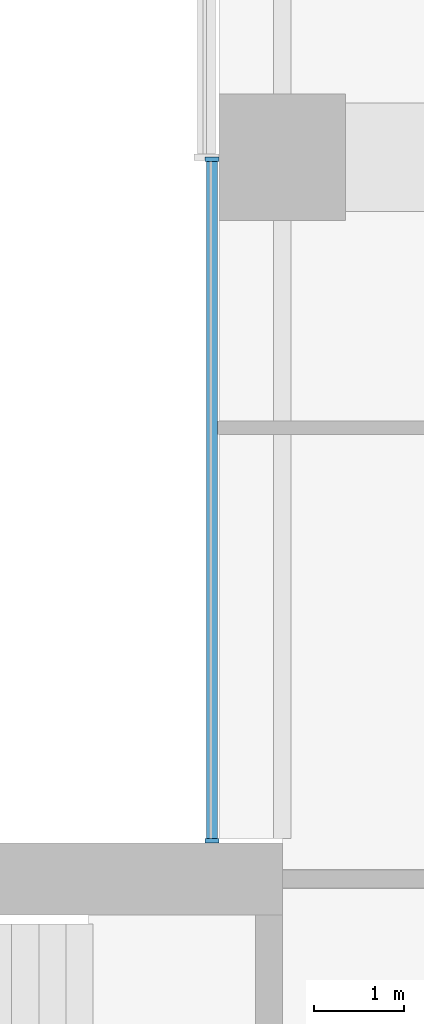
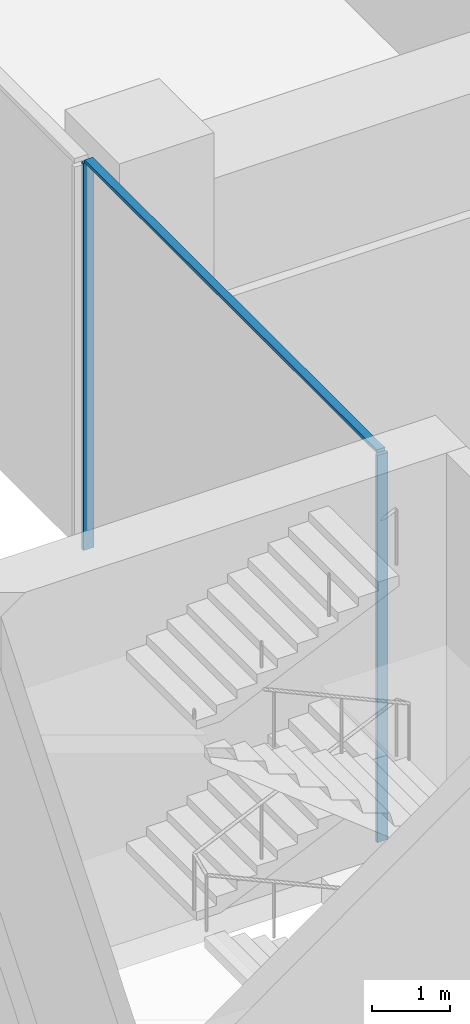
# One storey, part 7 of 23: 3 members, 1 element without a shape of its own.
"""IFC4 building model written with IfcOpenShell, lengths in metres."""

from ifc_helpers import new_model, si_unit, direction, frame, origin, origin_2d, place, context, subcontext, project, spatial, rectangle, extrude, material, material_profile, profile_set, type_object, element, aggregate, save


model = new_model("IFC4")

# Units and contexts
model_context = context("Model", 3, precision=1e-05, world=origin(), true_north=direction((0.0, 1.0)))
body_context = subcontext(model_context, "Body", "Model", "MODEL_VIEW")
ifc_project = project(units=[si_unit("LENGTHUNIT", "METRE"), si_unit("AREAUNIT", "SQUARE_METRE"), si_unit("VOLUMEUNIT", "CUBIC_METRE"), si_unit("PLANEANGLEUNIT", "RADIAN"), si_unit("MASSUNIT", "GRAM", prefix="KILO")], contexts=[model_context])

# Site, building, storey
site_placement = place(None, origin())
site = spatial("IfcSite", under=ifc_project, at=site_placement, CompositionType="ELEMENT")
building_placement = place(site_placement, origin())
building = spatial("IfcBuilding", under=site, at=building_placement, Name="Crosswind Convention Tower", CompositionType="ELEMENT")
storey_placement = place(building_placement, frame((0.0, 0.0, 47.5)))
storey = spatial("IfcBuildingStorey", under=building, at=storey_placement, Name="L06", CompositionType="ELEMENT", Elevation=47.5)

# Curtain wall, members
ifc_material_1 = material(Name="Aluminium unitised curtain wall", Category="aluminium")
curtain_wall_type = type_object("IfcCurtainWallType", Name="CORE END SLOT WALL 160", PredefinedType="USERDEFINED", material=ifc_material_1)
curtain_wall_placement = place(storey_placement, origin())
curtain_wall = element("IfcCurtainWall", 1, at=curtain_wall_placement, inside=storey, type_object=curtain_wall_type, Name="CW6 L06 N-W.1-3 slot", ObjectType="UNITISED", PredefinedType="USERDEFINED")
ifc_material_2 = material(Name="Aluminium mullion", Category="aluminium")
ifc_material_profile_1 = material_profile(ifc_material_2, rectangle(XDim=0.159912109375, YDim=0.050048828125, at=origin_2d()), Name="AL 160X50")
ifc_profile_set_1 = profile_set([ifc_material_profile_1], Name="Aluminium mullion")
member_type_1 = type_object("IfcMemberType", Name="MULLION 50X160", PredefinedType="MULLION", material=ifc_profile_set_1)
member_1_placement = place(storey_placement, frame((112.219970703125, 119.97509765625, -0.39990234375), z_axis=(0.0, 0.0, 1.0), x_axis=(-1.0, 0.0, 0.0)))
member_1 = element("IfcMember", 2, at=member_1_placement, type_object=member_type_1, Name="CW6 mullion 1", PredefinedType="MULLION", context=body_context, shape_type="SweptSolid", body=[
    extrude(rectangle(XDim=0.159912109375, YDim=0.050048828125, at=origin_2d()), origin(), (0.0, 0.0, 1.0), 6.06982421875),
])
member_2_placement = place(storey_placement, frame((112.219970703125, 112.425048828125, -0.39990234375), z_axis=(0.0, 0.0, 1.0), x_axis=(-1.0, 0.0, 0.0)))
member_2 = element("IfcMember", 3, at=member_2_placement, type_object=member_type_1, Name="CW6 mullion 2", PredefinedType="MULLION", context=body_context, shape_type="SweptSolid", body=[
    extrude(rectangle(XDim=0.159912109375, YDim=0.050048828125, at=origin_2d()), origin(), (0.0, 0.0, 1.0), 6.06982421875),
])
ifc_material_3 = material(Name="Aluminium transom", Category="aluminium")
ifc_material_profile_2 = material_profile(ifc_material_3, rectangle(XDim=0.1201171875, YDim=0.050048828125, at=origin_2d()), Name="AL 120X50")
ifc_profile_set_2 = profile_set([ifc_material_profile_2], Name="Aluminium transom")
member_type_2 = type_object("IfcMemberType", Name="TRANSOM 50X120", PredefinedType="USERDEFINED", material=ifc_profile_set_2)
member_3_placement = place(storey_placement, frame((112.219970703125, 119.949951171875, 5.695068359375), z_axis=(0.0, -1.0, 0.0), x_axis=(1.0, 0.0, 0.0)))
member_3 = element("IfcMember", 4, at=member_3_placement, type_object=member_type_2, Name="CW6 transom", ObjectType="TRANSOM", PredefinedType="USERDEFINED", context=body_context, shape_type="SweptSolid", body=[
    extrude(rectangle(XDim=0.1201171875, YDim=0.050048828125, at=origin_2d()), origin(), (0.0, 0.0, 1.0), 7.5),
])
aggregate(curtain_wall, [member_1, member_2, member_3])

save(model, "model.ifc")
